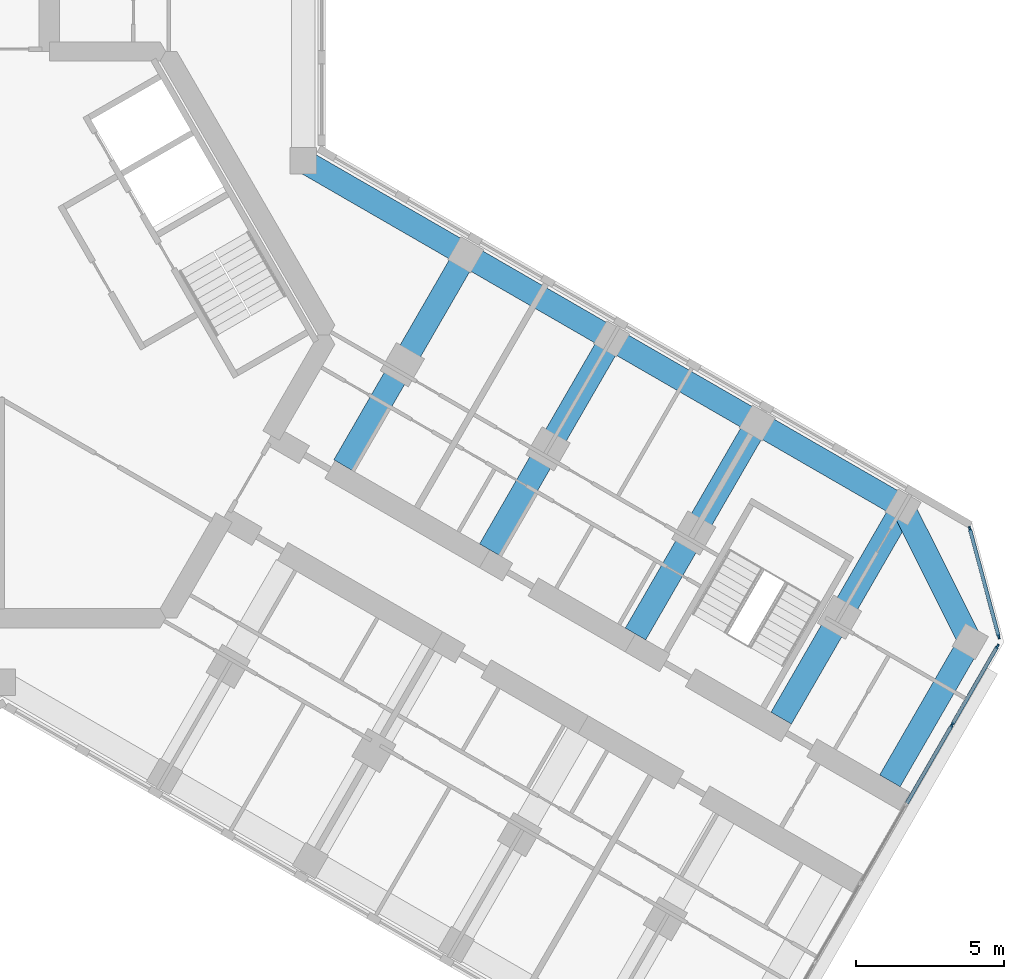
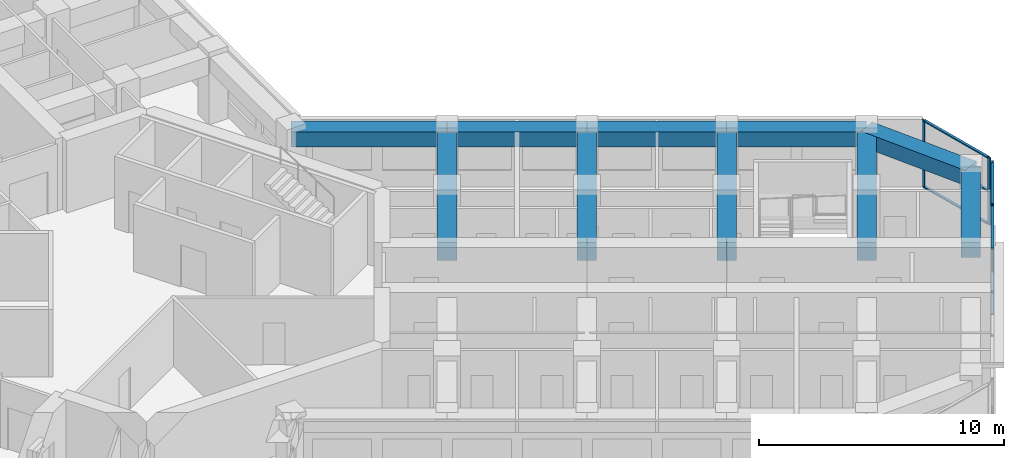
# One storey, part 5 of 16: 11 members, 10 beams, 2 elements without a shape of their own.
"""IFC4 building model written with IfcOpenShell, lengths in metres."""

from ifc_helpers import new_model, si_unit, direction, frame, origin, origin_2d, place, context, subcontext, project, spatial, rectangle, extrude, material, material_profile, profile_set, type_object, element, aggregate, save


model = new_model("IFC4")

# Units and contexts
model_context = context("Model", 3, precision=1e-05, world=origin(), true_north=direction((0.0, 1.0)))
body_context = subcontext(model_context, "Body", "Model", "MODEL_VIEW")
ifc_project = project(units=[si_unit("LENGTHUNIT", "METRE"), si_unit("AREAUNIT", "SQUARE_METRE"), si_unit("VOLUMEUNIT", "CUBIC_METRE"), si_unit("PLANEANGLEUNIT", "RADIAN"), si_unit("MASSUNIT", "GRAM", prefix="KILO")], contexts=[model_context])

# Site, building, storey
site_placement = place(None, origin())
site = spatial("IfcSite", under=ifc_project, at=site_placement, CompositionType="ELEMENT")
building_placement = place(site_placement, origin())
building = spatial("IfcBuilding", under=site, at=building_placement, Name="Kosmar Iwan School Tower", CompositionType="ELEMENT")
storey_placement = place(building_placement, frame((0.0, 0.0, 204.60009765625)))
storey = spatial("IfcBuildingStorey", under=building, at=storey_placement, Name="L51", CompositionType="ELEMENT", Elevation=204.60009765625)

# Curtain wall, members
ifc_material_1 = material(Name="Dark glass in black aluminium frame", Category="aluminium")
curtain_wall_type_1 = type_object("IfcCurtainWallType", Name="Tower curtain wall dark glass", PredefinedType="USERDEFINED", material=ifc_material_1)
curtain_wall_1_placement = place(storey_placement, origin())
curtain_wall_1 = element("IfcCurtainWall", 1, at=curtain_wall_1_placement, inside=storey, type_object=curtain_wall_type_1, Name="Curtain wall L51-F01", ObjectType="UNITISED CURTAIN WALL", PredefinedType="USERDEFINED")
ifc_material_2 = material(Name="Black anodised aluminium", Category="aluminium")
ifc_material_profile_1 = material_profile(ifc_material_2, rectangle(XDim=0.06005859375, YDim=0.159912109375, at=origin_2d()), Name="MULLION 60x160")
ifc_profile_set_1 = profile_set([ifc_material_profile_1], Name="Black anodised aluminium")
member_type_1 = type_object("IfcMemberType", Name="Mullion 60x160", PredefinedType="MULLION", material=ifc_profile_set_1)
member_1_placement = place(storey_placement, frame((32.1806640625, -13.21142578125, 0.0), z_axis=(0.0, 0.0, 1.0), x_axis=(-0.866025405329, 0.499999997325, 0.0)))
member_1 = element("IfcMember", 2, at=member_1_placement, type_object=member_type_1, Name="CW1 mullion 5", PredefinedType="MULLION", context=body_context, shape_type="SweptSolid", body=[
    extrude(rectangle(XDim=0.06005859375, YDim=0.159912109375, at=origin_2d()), origin(), (0.0, 0.0, 1.0), 3.349853515625),
])
member_2_placement = place(storey_placement, frame((33.71533203125, -10.55322265625, 0.0), z_axis=(0.0, 0.0, 1.0), x_axis=(-0.866025405329, 0.499999997325, 0.0)))
member_2 = element("IfcMember", 3, at=member_2_placement, type_object=member_type_1, Name="CW1 mullion 6", PredefinedType="MULLION", context=body_context, shape_type="SweptSolid", body=[
    extrude(rectangle(XDim=0.06005859375, YDim=0.159912109375, at=origin_2d()), origin(), (0.0, 0.0, 1.0), 3.349853515625),
])

ifc_material_3 = material(Name="Dark glass in black aluminium frame", Category="aluminium")
curtain_wall_type_2 = type_object("IfcCurtainWallType", Name="Chamfer curtain wall dark glass", PredefinedType="USERDEFINED", material=ifc_material_3)
curtain_wall_2_placement = place(storey_placement, origin())
curtain_wall_2 = element("IfcCurtainWall", 4, at=curtain_wall_2_placement, inside=storey, type_object=curtain_wall_type_2, Name="Curtain wall L51-F02", ObjectType="FACETED CURTAIN WALL", PredefinedType="USERDEFINED")
member_3_placement = place(storey_placement, frame((33.7587890625, -10.2236328125, 0.0), z_axis=(0.0, 0.0, 1.0), x_axis=(-0.965925875495, -0.258818861462, 0.0)))
member_3 = element("IfcMember", 5, at=member_3_placement, type_object=member_type_1, Name="CW2 mullion 1", PredefinedType="MULLION", context=body_context, shape_type="SweptSolid", body=[
    extrude(rectangle(XDim=0.06005859375, YDim=0.159912109375, at=origin_2d()), origin(), (0.0, 0.0, 1.0), 3.349853515625),
])
member_4_placement = place(storey_placement, frame((32.78076171875, -6.5732421875, 0.0), z_axis=(0.0, 0.0, 1.0), x_axis=(-0.965925875495, -0.258818861462, 0.0)))
member_4 = element("IfcMember", 6, at=member_4_placement, type_object=member_type_1, Name="CW2 mullion 2", PredefinedType="MULLION", context=body_context, shape_type="SweptSolid", body=[
    extrude(rectangle(XDim=0.06005859375, YDim=0.159912109375, at=origin_2d()), origin(), (0.0, 0.0, 1.0), 3.349853515625),
])

# Beams
ifc_material_4 = material(Name="Concrete C50/60", Category="concrete")
ifc_material_profile_2 = material_profile(ifc_material_4, rectangle(XDim=0.800048828125, YDim=0.75, at=origin_2d()), Name="RC 800x750")
ifc_profile_set_2 = profile_set([ifc_material_profile_2], Name="Concrete C50/60")
beam_type_1 = type_object("IfcBeamType", Name="RC edge beam 800x750", PredefinedType="BEAM", material=ifc_profile_set_2)
beam_1_placement = place(storey_placement, frame((10.199951171875, 5.888916015625, 2.974853515625), z_axis=(0.866030912664, -0.49999045822, 0.0), x_axis=(0.49999045822, 0.866030912664, 0.0)))
element("IfcBeam", 7, at=beam_1_placement, inside=storey, type_object=beam_type_1, Name="Edge beam CL1", PredefinedType="BEAM", context=body_context, shape_type="SweptSolid", body=[
    extrude(rectangle(XDim=0.800048828125, YDim=0.75, at=origin_2d()), origin(), (0.0, 0.0, 1.0), 6.36083984375),
])
beam_2_placement = place(storey_placement, frame((15.708740234375, 2.70849609375, 2.974853515625), z_axis=(0.866025820012, -0.499999279071, 0.0), x_axis=(0.499999279071, 0.866025820012, 0.0)))
element("IfcBeam", 8, at=beam_2_placement, inside=storey, type_object=beam_type_1, Name="Edge beam CL2", PredefinedType="BEAM", context=body_context, shape_type="SweptSolid", body=[
    extrude(rectangle(XDim=0.800048828125, YDim=0.75, at=origin_2d()), origin(), (0.0, 0.0, 1.0), 5.7001953125),
])
for number, where, z_axis, x_axis, name in (
    (9, (20.645263671875, -0.1416015625, 2.974853515625), (0.866033658841, -0.49998570155, 0.0), (0.49998570155, 0.866033658841, 0.0), "Edge beam CL3"),
    (10, (25.58154296875, -2.991455078125, 2.974853515625), (0.866015111908, -0.50001782563, 0.0), (0.50001782563, 0.866015111908, 0.0), "Edge beam CL4"),
):
    element("IfcBeam", number, at=place(storey_placement, frame(where, z_axis=z_axis, x_axis=x_axis)), inside=storey, type_object=beam_type_1, Name=name, PredefinedType="BEAM", context=body_context, shape_type="SweptSolid", body=[
        extrude(rectangle(XDim=0.800048828125, YDim=0.75, at=origin_2d()), origin(), (0.0, 0.0, 1.0), 5.699951171875),
    ])
ifc_material_5 = material(Name="Concrete C50/60", Category="concrete")
ifc_material_profile_3 = material_profile(ifc_material_5, rectangle(XDim=0.800048828125, YDim=0.75, at=origin_2d()), Name="RC 800x750")
ifc_profile_set_3 = profile_set([ifc_material_profile_3], Name="Concrete C50/60")
beam_type_2 = type_object("IfcBeamType", Name="RC tip beam 800x750", PredefinedType="BEAM", material=ifc_profile_set_3)
beam_3_placement = place(storey_placement, frame((30.517822265625, -5.841552734375, 2.974853515625), z_axis=(0.44809604203, -0.893985423325, 0.0), x_axis=(0.893985423325, 0.44809604203, 0.0)))
element("IfcBeam", 11, at=beam_3_placement, inside=storey, type_object=beam_type_2, Name="Tip beam CL", PredefinedType="BEAM", context=body_context, shape_type="SweptSolid", body=[
    extrude(rectangle(XDim=0.800048828125, YDim=0.75, at=origin_2d()), origin(), (0.0, 0.0, 1.0), 5.08935546875),
])
beam_4_placement = place(storey_placement, frame((32.79833984375, -10.391357421875, 2.974853515625), z_axis=(-0.49996933381, -0.866043108194, 0.0), x_axis=(0.866043108194, -0.49996933381, 0.0)))
element("IfcBeam", 12, at=beam_4_placement, inside=storey, type_object=beam_type_2, Name="Tip beam CL to corridor wall", PredefinedType="BEAM", context=body_context, shape_type="SweptSolid", body=[
    extrude(rectangle(XDim=0.800048828125, YDim=0.75, at=origin_2d()), origin(), (0.0, 0.0, 1.0), 5.449951171875),
])
ifc_material_6 = material(Name="Concrete C50/60", Category="concrete")
ifc_material_profile_4 = material_profile(ifc_material_6, rectangle(XDim=0.800048828125, YDim=0.89990234375, at=origin_2d()), Name="RC 800x900")
ifc_profile_set_4 = profile_set([ifc_material_profile_4], Name="Concrete C50/60")
beam_type_3 = type_object("IfcBeamType", Name="RC transverse beam 800x900", PredefinedType="BEAM", material=ifc_profile_set_4)
beam_5_placement = place(storey_placement, frame((15.708740234375, 2.70849609375, 2.89990234375), z_axis=(-0.499996545922, -0.866027397988, 0.0), x_axis=(0.866027397988, -0.499996545922, 0.0)))
element("IfcBeam", 13, at=beam_5_placement, inside=storey, type_object=beam_type_3, Name="Transverse beam CL1", PredefinedType="BEAM", context=body_context, shape_type="SweptSolid", body=[
    extrude(rectangle(XDim=0.800048828125, YDim=0.89990234375, at=origin_2d()), origin(), (0.0, 0.0, 1.0), 8.25),
])
beam_6_placement = place(storey_placement, frame((20.645263671875, -0.1416015625, 2.89990234375), z_axis=(-0.500009360108, -0.866019999656, 0.0), x_axis=(0.866019999656, -0.500009360108, 0.0)))
element("IfcBeam", 14, at=beam_6_placement, inside=storey, type_object=beam_type_3, Name="Transverse beam CL2", PredefinedType="BEAM", context=body_context, shape_type="SweptSolid", body=[
    extrude(rectangle(XDim=0.800048828125, YDim=0.89990234375, at=origin_2d()), origin(), (0.0, 0.0, 1.0), 8.249755859375),
])
for number, where, z_axis, x_axis, name in (
    (15, (25.58154296875, -2.991455078125, 2.89990234375), (-0.499996545922, -0.866027397988, 0.0), (0.866027397988, -0.499996545922, 0.0), "Transverse beam CL3"),
    (16, (30.517822265625, -5.841552734375, 2.89990234375), (-0.499996545922, -0.866027397988, 0.0), (0.866027397988, -0.499996545922, 0.0), "Transverse beam CL4"),
):
    element("IfcBeam", number, at=place(storey_placement, frame(where, z_axis=z_axis, x_axis=x_axis)), inside=storey, type_object=beam_type_3, Name=name, PredefinedType="BEAM", context=body_context, shape_type="SweptSolid", body=[
        extrude(rectangle(XDim=0.800048828125, YDim=0.89990234375, at=origin_2d()), origin(), (0.0, 0.0, 1.0), 8.25),
    ])

# Member
ifc_material_7 = material(Name="Black anodised aluminium", Category="aluminium")
ifc_material_profile_5 = material_profile(ifc_material_7, rectangle(XDim=0.1201171875, YDim=0.06005859375, at=origin_2d()), Name="TRANSOM 60x120")
ifc_profile_set_5 = profile_set([ifc_material_profile_5], Name="Black anodised aluminium")
member_type_2 = type_object("IfcMemberType", Name="Transom 60x120", PredefinedType="USERDEFINED", material=ifc_profile_set_5)
member_5_placement = place(storey_placement, frame((30.64599609375, -15.869384765625, 0.02978515625), z_axis=(0.500035348339, 0.866004994449, 0.0), x_axis=(-0.866004994449, 0.500035348339, 0.0)))
member_5 = element("IfcMember", 17, at=member_5_placement, type_object=member_type_2, Name="CW1 transom 4.1", ObjectType="TRANSOM", PredefinedType="USERDEFINED", context=body_context, shape_type="SweptSolid", body=[
    extrude(rectangle(XDim=0.1201171875, YDim=0.06005859375, at=origin_2d()), origin(), (0.0, 0.0, 1.0), 3.039306640625),
])

member_6_placement = place(storey_placement, frame((30.64599609375, -15.869384765625, 3.31982421875), z_axis=(0.500035348339, 0.866004994449, 0.0), x_axis=(-0.866004994449, 0.500035348339, 0.0)))
member_6 = element("IfcMember", 18, at=member_6_placement, type_object=member_type_2, Name="CW1 transom 4.2", ObjectType="TRANSOM", PredefinedType="USERDEFINED", context=body_context, shape_type="SweptSolid", body=[
    extrude(rectangle(XDim=0.1201171875, YDim=0.06005859375, at=origin_2d()), origin(), (0.0, 0.0, 1.0), 3.039306640625),
])

member_7_placement = place(storey_placement, frame((32.19580078125, -13.185302734375, 0.02978515625), z_axis=(0.500022102064, 0.866012642776, 0.0), x_axis=(-0.866012642776, 0.500022102064, 0.0)))
member_7 = element("IfcMember", 19, at=member_7_placement, type_object=member_type_2, Name="CW1 transom 5.1", ObjectType="TRANSOM", PredefinedType="USERDEFINED", context=body_context, shape_type="SweptSolid", body=[
    extrude(rectangle(XDim=0.1201171875, YDim=0.06005859375, at=origin_2d()), origin(), (0.0, 0.0, 1.0), 3.009033203125),
])

member_8_placement = place(storey_placement, frame((32.19580078125, -13.185302734375, 3.31982421875), z_axis=(0.500022102064, 0.866012642776, 0.0), x_axis=(-0.866012642776, 0.500022102064, 0.0)))
member_8 = element("IfcMember", 20, at=member_8_placement, type_object=member_type_2, Name="CW1 transom 5.2", ObjectType="TRANSOM", PredefinedType="USERDEFINED", context=body_context, shape_type="SweptSolid", body=[
    extrude(rectangle(XDim=0.1201171875, YDim=0.06005859375, at=origin_2d()), origin(), (0.0, 0.0, 1.0), 3.009033203125),
])

aggregate(curtain_wall_1, [member_1, member_2, member_5, member_6, member_7, member_8])

member_9_placement = place(storey_placement, frame((33.7509765625, -10.194580078125, 0.02978515625), z_axis=(-0.258843273983, 0.965919333854, 0.0), x_axis=(-0.965919333854, -0.258843273983, 0.0)))
member_9 = element("IfcMember", 21, at=member_9_placement, type_object=member_type_2, Name="CW2 transom 1.1", ObjectType="TRANSOM", PredefinedType="USERDEFINED", context=body_context, shape_type="SweptSolid", body=[
    extrude(rectangle(XDim=0.1201171875, YDim=0.06005859375, at=origin_2d()), origin(), (0.0, 0.0, 1.0), 3.718994140625),
])

member_10_placement = place(storey_placement, frame((33.7509765625, -10.194580078125, 1.6748046875), z_axis=(-0.258843273983, 0.965919333854, 0.0), x_axis=(-0.965919333854, -0.258843273983, 0.0)))
member_10 = element("IfcMember", 22, at=member_10_placement, type_object=member_type_2, Name="CW2 transom 1.2", ObjectType="TRANSOM", PredefinedType="USERDEFINED", context=body_context, shape_type="SweptSolid", body=[
    extrude(rectangle(XDim=0.1201171875, YDim=0.06005859375, at=origin_2d()), origin(), (0.0, 0.0, 1.0), 3.718994140625),
])

member_11_placement = place(storey_placement, frame((33.7509765625, -10.194580078125, 3.31982421875), z_axis=(-0.258843273983, 0.965919333854, 0.0), x_axis=(-0.965919333854, -0.258843273983, 0.0)))
member_11 = element("IfcMember", 23, at=member_11_placement, type_object=member_type_2, Name="CW2 transom 1.3", ObjectType="TRANSOM", PredefinedType="USERDEFINED", context=body_context, shape_type="SweptSolid", body=[
    extrude(rectangle(XDim=0.1201171875, YDim=0.06005859375, at=origin_2d()), origin(), (0.0, 0.0, 1.0), 3.718994140625),
])

aggregate(curtain_wall_2, [member_3, member_4, member_9, member_10, member_11])

save(model, "model.ifc")
